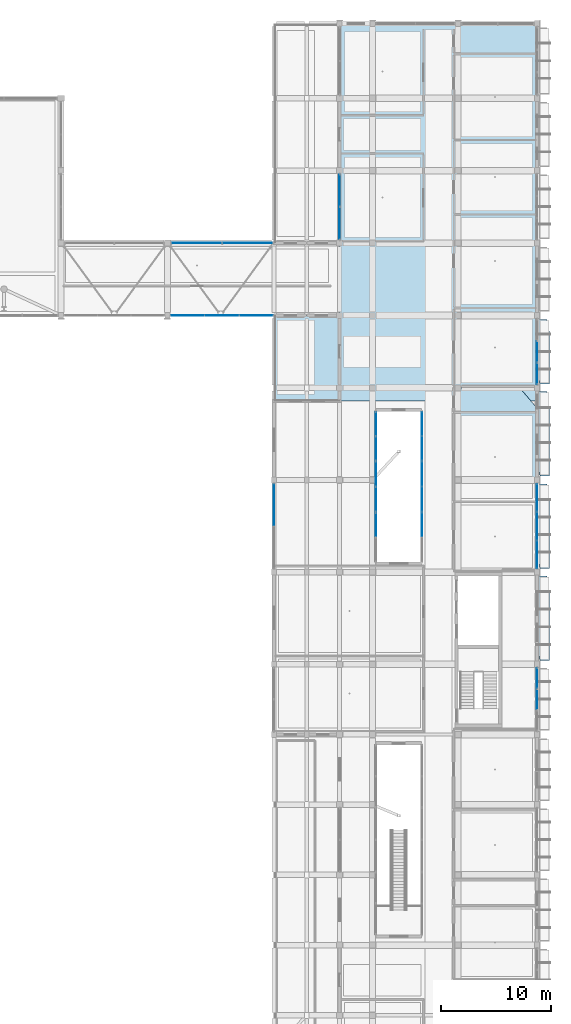
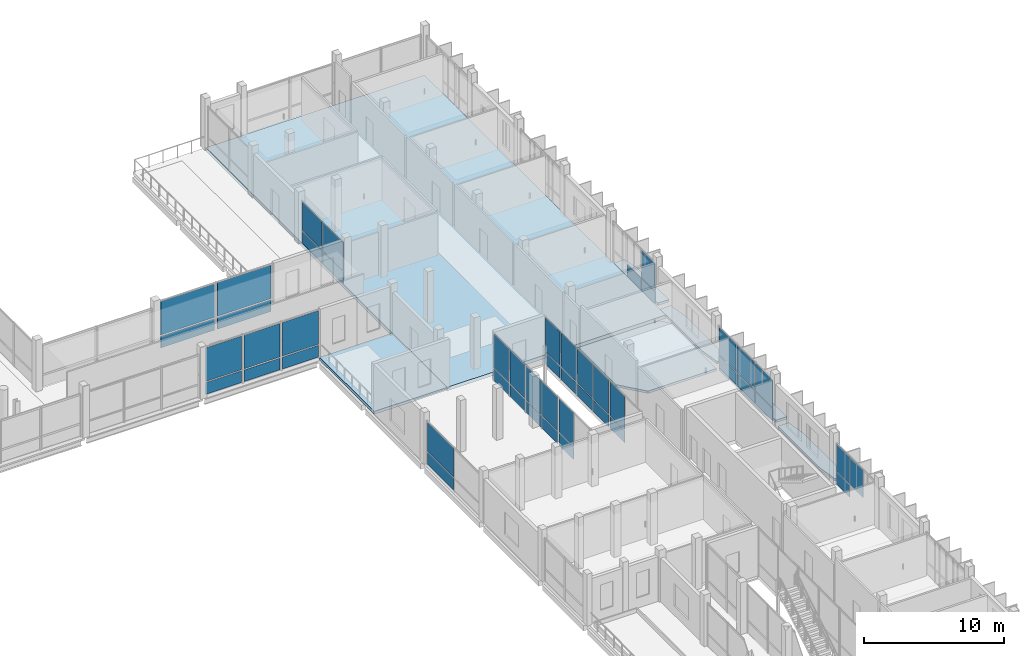
# One storey, part 50 of 95: 48 plates, 7 slabs, 13 elements without a shape of their own.
"""IFC4 building model written with IfcOpenShell, lengths in metres."""

from ifc_helpers import new_model, si_unit, derived_unit, direction, frame, origin, origin_2d, place, context, subcontext, project, spatial, polyline, rectangle, outline, extrude, material, layer, layer_set, type_object, element, aggregate, save


model = new_model("IFC4")

# Units and contexts
model_context = context("Model", 3, precision=1e-05, world=origin(), true_north=direction((0.0, 1.0)))
body_context = subcontext(model_context, "Body", "Model", "MODEL_VIEW")
ifc_project = project(units=[si_unit("LENGTHUNIT", "METRE"), si_unit("AREAUNIT", "SQUARE_METRE"), si_unit("VOLUMEUNIT", "CUBIC_METRE"), si_unit("PLANEANGLEUNIT", "RADIAN"), si_unit("MASSUNIT", "GRAM", prefix="KILO"), derived_unit("THERMALTRANSMITTANCEUNIT", [(si_unit("POWERUNIT", "WATT"), 1), (si_unit("LENGTHUNIT", "METRE"), -2), (si_unit("THERMODYNAMICTEMPERATUREUNIT", "KELVIN"), -1)])], contexts=[model_context])

# Site, building, storey
site_placement = place(None, origin())
site = spatial("IfcSite", under=ifc_project, at=site_placement, CompositionType="ELEMENT")
building_placement = place(site_placement, origin())
building = spatial("IfcBuilding", under=site, at=building_placement, Name="Braskholm Square Health Centre", CompositionType="ELEMENT")
storey_placement = place(building_placement, frame((0.0, 0.0, 4.800048828125)))
storey = spatial("IfcBuildingStorey", under=building, at=storey_placement, Name="L02", CompositionType="ELEMENT", Elevation=4.800048828125)

# Curtain wall, plate
ifc_material_1 = material(Name="Low-E triple insulating glass (VLT 0.64)", Category="glass")
curtain_wall_type_1 = type_object("IfcCurtainWallType", Name="UnitisedCurtainWall6200x3650", PredefinedType="NOTDEFINED", material=ifc_material_1)
curtain_wall_1_placement = place(storey_placement, origin())
curtain_wall_1 = element("IfcCurtainWall", 1, at=curtain_wall_1_placement, inside=storey, type_object=curtain_wall_type_1, Name="East Outer unitised curtain wall CW-L02-0055", PredefinedType="NOTDEFINED")
ifc_material_2 = material(Name="Architectural bronze anodised aluminium", Category="aluminium")
plate_type_1 = type_object("IfcPlateType", Name="CurtainPanelSpandrel1850x1020", PredefinedType="CURTAIN_PANEL", material=ifc_material_2)
plate_1_placement = place(storey_placement, frame((163.800048828125, 54.139892578125, 0.050048828125), z_axis=(0.0, 0.0, 1.0), x_axis=(0.0, 1.0, 0.0)))
plate_1 = element("IfcPlate", 2, at=plate_1_placement, type_object=plate_type_1, Name="CW-L02-0055 spandrel panel 3", PredefinedType="CURTAIN_PANEL", context=body_context, shape_type="SweptSolid", body=[
    extrude(rectangle(XDim=1.823486328125, YDim=0.035888671875, at=origin_2d()), origin(), (0.0, 0.0, 1.0), 1.02001953125),
])

# Curtain wall, plates
curtain_wall_2_placement = place(storey_placement, origin())
curtain_wall_2 = element("IfcCurtainWall", 3, at=curtain_wall_2_placement, inside=storey, type_object=curtain_wall_type_1, Name="East Outer unitised curtain wall CW-L02-0057", PredefinedType="NOTDEFINED")
plate_2_placement = place(storey_placement, frame((163.800048828125, 81.893310546875, 0.050048828125), z_axis=(0.0, 0.0, 1.0), x_axis=(0.0, 1.0, 0.0)))
plate_2 = element("IfcPlate", 4, at=plate_2_placement, type_object=plate_type_1, Name="CW-L02-0057 spandrel panel 1", PredefinedType="CURTAIN_PANEL", context=body_context, shape_type="SweptSolid", body=[
    extrude(rectangle(XDim=1.88623046875, YDim=0.035888671875, at=origin_2d()), origin(), (0.0, 0.0, 1.0), 1.02001953125),
])
plate_3_placement = place(storey_placement, frame((163.800048828125, 83.89990234375, 0.050048828125), z_axis=(0.0, 0.0, 1.0), x_axis=(0.0, 1.0, 0.0)))
plate_3 = element("IfcPlate", 5, at=plate_3_placement, type_object=plate_type_1, Name="CW-L02-0057 spandrel panel 2", PredefinedType="CURTAIN_PANEL", context=body_context, shape_type="SweptSolid", body=[
    extrude(rectangle(XDim=1.88623046875, YDim=0.035888671875, at=origin_2d()), origin(), (0.0, 0.0, 1.0), 1.02001953125),
])

# Curtain wall, plate
curtain_wall_type_2 = type_object("IfcCurtainWallType", Name="UnitisedCurtainWall4800x4100", PredefinedType="NOTDEFINED", material=ifc_material_1)
curtain_wall_3_placement = place(storey_placement, origin())
curtain_wall_3 = element("IfcCurtainWall", 6, at=curtain_wall_3_placement, inside=storey, type_object=curtain_wall_type_2, Name="EC2 Court W unitised curtain wall CW-L02-0357", PredefinedType="NOTDEFINED")
plate_type_2 = type_object("IfcPlateType", Name="CurtainPanelSpandrel2150x1020", PredefinedType="CURTAIN_PANEL", material=ifc_material_2)
plate_4_placement = place(storey_placement, frame((149.10009765625, 68.117919921875, 0.050048828125), z_axis=(0.0, 0.0, 1.0), x_axis=(0.0, 1.0, 0.0)))
plate_4 = element("IfcPlate", 7, at=plate_4_placement, type_object=plate_type_2, Name="CW-L02-0357 spandrel panel 2", PredefinedType="CURTAIN_PANEL", context=body_context, shape_type="SweptSolid", body=[
    extrude(rectangle(XDim=2.125244140625, YDim=0.035888671875, at=origin_2d()), origin(), (0.0, 0.0, 1.0), 1.02001953125),
])

curtain_wall_4_placement = place(storey_placement, origin())
curtain_wall_4 = element("IfcCurtainWall", 8, at=curtain_wall_4_placement, inside=storey, type_object=curtain_wall_type_2, Name="EC2 Court E unitised curtain wall CW-L02-0358", PredefinedType="NOTDEFINED")
plate_5_placement = place(storey_placement, frame((153.300048828125, 68.117919921875, 0.050048828125), z_axis=(0.0, 0.0, 1.0), x_axis=(0.0, -1.0, 0.0)))
plate_5 = element("IfcPlate", 9, at=plate_5_placement, type_object=plate_type_2, Name="CW-L02-0358 spandrel panel 1", PredefinedType="CURTAIN_PANEL", context=body_context, shape_type="SweptSolid", body=[
    extrude(rectangle(XDim=2.125244140625, YDim=0.035888671875, at=origin_2d()), origin(), (0.0, 0.0, 1.0), 1.02001953125),
])

# Curtain wall, plates
curtain_wall_5_placement = place(storey_placement, origin())
curtain_wall_5 = element("IfcCurtainWall", 10, at=curtain_wall_5_placement, inside=storey, type_object=curtain_wall_type_2, Name="EC2 Court W unitised curtain wall CW-L02-0359", PredefinedType="NOTDEFINED")
plate_6_placement = place(storey_placement, frame((149.10009765625, 70.449951171875, 0.050048828125), z_axis=(0.0, 0.0, 1.0), x_axis=(0.0, 1.0, 0.0)))
plate_6 = element("IfcPlate", 11, at=plate_6_placement, type_object=plate_type_2, Name="CW-L02-0359 spandrel panel 1", PredefinedType="CURTAIN_PANEL", context=body_context, shape_type="SweptSolid", body=[
    extrude(rectangle(XDim=2.188232421875, YDim=0.035888671875, at=origin_2d()), origin(), (0.0, 0.0, 1.0), 1.02001953125),
])
plate_7_placement = place(storey_placement, frame((149.10009765625, 72.75, 0.050048828125), z_axis=(0.0, 0.0, 1.0), x_axis=(0.0, 1.0, 0.0)))
plate_7 = element("IfcPlate", 12, at=plate_7_placement, type_object=plate_type_2, Name="CW-L02-0359 spandrel panel 2", PredefinedType="CURTAIN_PANEL", context=body_context, shape_type="SweptSolid", body=[
    extrude(rectangle(XDim=2.188232421875, YDim=0.035888671875, at=origin_2d()), origin(), (0.0, 0.0, 1.0), 1.02001953125),
])

curtain_wall_6_placement = place(storey_placement, origin())
curtain_wall_6 = element("IfcCurtainWall", 13, at=curtain_wall_6_placement, inside=storey, type_object=curtain_wall_type_2, Name="EC2 Court E unitised curtain wall CW-L02-0360", PredefinedType="NOTDEFINED")
plate_8_placement = place(storey_placement, frame((153.300048828125, 72.75, 0.050048828125), z_axis=(0.0, 0.0, 1.0), x_axis=(0.0, -1.0, 0.0)))
plate_8 = element("IfcPlate", 14, at=plate_8_placement, type_object=plate_type_2, Name="CW-L02-0360 spandrel panel 1", PredefinedType="CURTAIN_PANEL", context=body_context, shape_type="SweptSolid", body=[
    extrude(rectangle(XDim=2.188232421875, YDim=0.035888671875, at=origin_2d()), origin(), (0.0, 0.0, 1.0), 1.02001953125),
])
plate_9_placement = place(storey_placement, frame((153.300048828125, 70.449951171875, 0.050048828125), z_axis=(0.0, 0.0, 1.0), x_axis=(0.0, -1.0, 0.0)))
plate_9 = element("IfcPlate", 15, at=plate_9_placement, type_object=plate_type_2, Name="CW-L02-0360 spandrel panel 2", PredefinedType="CURTAIN_PANEL", context=body_context, shape_type="SweptSolid", body=[
    extrude(rectangle(XDim=2.188232421875, YDim=0.035888671875, at=origin_2d()), origin(), (0.0, 0.0, 1.0), 1.02001953125),
])

curtain_wall_7_placement = place(storey_placement, origin())
curtain_wall_7 = element("IfcCurtainWall", 16, at=curtain_wall_7_placement, inside=storey, type_object=curtain_wall_type_2, Name="EC2 Court W unitised curtain wall CW-L02-0361", PredefinedType="NOTDEFINED")
plate_10_placement = place(storey_placement, frame((149.10009765625, 75.08203125, 0.050048828125), z_axis=(0.0, 0.0, 1.0), x_axis=(0.0, 1.0, 0.0)))
plate_10 = element("IfcPlate", 17, at=plate_10_placement, type_object=plate_type_2, Name="CW-L02-0361 spandrel panel 1", PredefinedType="CURTAIN_PANEL", context=body_context, shape_type="SweptSolid", body=[
    extrude(rectangle(XDim=2.125244140625, YDim=0.035888671875, at=origin_2d()), origin(), (0.0, 0.0, 1.0), 1.02001953125),
])
plate_11_placement = place(storey_placement, frame((149.10009765625, 77.31591796875, 0.050048828125), z_axis=(0.0, 0.0, 1.0), x_axis=(0.0, 1.0, 0.0)))
plate_11 = element("IfcPlate", 18, at=plate_11_placement, type_object=plate_type_2, Name="CW-L02-0361 spandrel panel 2", PredefinedType="CURTAIN_PANEL", context=body_context, shape_type="SweptSolid", body=[
    extrude(rectangle(XDim=2.125244140625, YDim=0.035888671875, at=origin_2d()), origin(), (0.0, 0.0, 1.0), 1.02001953125),
])

curtain_wall_8_placement = place(storey_placement, origin())
curtain_wall_8 = element("IfcCurtainWall", 19, at=curtain_wall_8_placement, inside=storey, type_object=curtain_wall_type_2, Name="EC2 Court E unitised curtain wall CW-L02-0362", PredefinedType="NOTDEFINED")
plate_12_placement = place(storey_placement, frame((153.300048828125, 77.31591796875, 0.050048828125), z_axis=(0.0, 0.0, 1.0), x_axis=(0.0, -1.0, 0.0)))
plate_12 = element("IfcPlate", 20, at=plate_12_placement, type_object=plate_type_2, Name="CW-L02-0362 spandrel panel 1", PredefinedType="CURTAIN_PANEL", context=body_context, shape_type="SweptSolid", body=[
    extrude(rectangle(XDim=2.125244140625, YDim=0.035888671875, at=origin_2d()), origin(), (0.0, 0.0, 1.0), 1.02001953125),
])
plate_13_placement = place(storey_placement, frame((153.300048828125, 75.08203125, 0.050048828125), z_axis=(0.0, 0.0, 1.0), x_axis=(0.0, -1.0, 0.0)))
plate_13 = element("IfcPlate", 21, at=plate_13_placement, type_object=plate_type_2, Name="CW-L02-0362 spandrel panel 2", PredefinedType="CURTAIN_PANEL", context=body_context, shape_type="SweptSolid", body=[
    extrude(rectangle(XDim=2.125244140625, YDim=0.035888671875, at=origin_2d()), origin(), (0.0, 0.0, 1.0), 1.02001953125),
])

curtain_wall_9_placement = place(storey_placement, origin())
curtain_wall_9 = element("IfcCurtainWall", 22, at=curtain_wall_9_placement, inside=storey, type_object=curtain_wall_type_1, Name="East Outer unitised curtain wall CW-L02-0056", PredefinedType="NOTDEFINED")
plate_type_3 = type_object("IfcPlateType", Name="CurtainPanelSpandrel2750x1020", PredefinedType="CURTAIN_PANEL", material=ifc_material_2)
plate_14_placement = place(storey_placement, frame((163.800048828125, 65.393310546875, 0.050048828125), z_axis=(0.0, 0.0, 1.0), x_axis=(0.0, 1.0, 0.0)))
plate_14 = element("IfcPlate", 23, at=plate_14_placement, type_object=plate_type_3, Name="CW-L02-0056 spandrel panel 1", PredefinedType="CURTAIN_PANEL", context=body_context, shape_type="SweptSolid", body=[
    extrude(rectangle(XDim=2.4501953125, YDim=0.035888671875, at=origin_2d()), origin(), (0.0, 0.0, 1.0), 1.02001953125),
])
plate_15_placement = place(storey_placement, frame((163.800048828125, 68.0, 0.050048828125), z_axis=(0.0, 0.0, 1.0), x_axis=(0.0, 1.0, 0.0)))
plate_15 = element("IfcPlate", 24, at=plate_15_placement, type_object=plate_type_3, Name="CW-L02-0056 spandrel panel 2", PredefinedType="CURTAIN_PANEL", context=body_context, shape_type="SweptSolid", body=[
    extrude(rectangle(XDim=2.4501953125, YDim=0.035888671875, at=origin_2d()), origin(), (0.0, 0.0, 1.0), 1.02001953125),
])
plate_16_placement = place(storey_placement, frame((163.800048828125, 70.606689453125, 0.050048828125), z_axis=(0.0, 0.0, 1.0), x_axis=(0.0, 1.0, 0.0)))
plate_16 = element("IfcPlate", 25, at=plate_16_placement, type_object=plate_type_3, Name="CW-L02-0056 spandrel panel 3", PredefinedType="CURTAIN_PANEL", context=body_context, shape_type="SweptSolid", body=[
    extrude(rectangle(XDim=2.4501953125, YDim=0.035888671875, at=origin_2d()), origin(), (0.0, 0.0, 1.0), 1.02001953125),
])

curtain_wall_type_3 = type_object("IfcCurtainWallType", Name="UnitisedCurtainWall6200x3800", PredefinedType="NOTDEFINED", material=ifc_material_1)
curtain_wall_10_placement = place(storey_placement, origin())
curtain_wall_10 = element("IfcCurtainWall", 26, at=curtain_wall_10_placement, inside=storey, type_object=curtain_wall_type_3, Name="East Valley unitised curtain wall CW-L02-0121", PredefinedType="NOTDEFINED")
plate_17_placement = place(storey_placement, frame((145.800048828125, 98.58935546875, 0.050048828125), z_axis=(0.0, 0.0, 1.0), x_axis=(0.0, -1.0, 0.0)))
plate_17 = element("IfcPlate", 27, at=plate_17_placement, type_object=plate_type_3, Name="CW-L02-0121 spandrel panel 1", PredefinedType="CURTAIN_PANEL", context=body_context, shape_type="SweptSolid", body=[
    extrude(rectangle(XDim=2.833984375, YDim=0.035888671875, at=origin_2d()), origin(), (0.0, 0.0, 1.0), 1.02001953125),
])
plate_18_placement = place(storey_placement, frame((145.800048828125, 95.610595703125, 0.050048828125), z_axis=(0.0, 0.0, 1.0), x_axis=(0.0, -1.0, 0.0)))
plate_18 = element("IfcPlate", 28, at=plate_18_placement, type_object=plate_type_3, Name="CW-L02-0121 spandrel panel 2", PredefinedType="CURTAIN_PANEL", context=body_context, shape_type="SweptSolid", body=[
    extrude(rectangle(XDim=2.833984375, YDim=0.035888671875, at=origin_2d()), origin(), (0.0, 0.0, 1.0), 1.02001953125),
])

# Curtain wall, plate
curtain_wall_11_placement = place(storey_placement, origin())
curtain_wall_11 = element("IfcCurtainWall", 29, at=curtain_wall_11_placement, inside=storey, type_object=curtain_wall_type_3, Name="East Valley unitised curtain wall CW-L02-0120", PredefinedType="NOTDEFINED")
plate_type_4 = type_object("IfcPlateType", Name="CurtainPanelSpandrel3150x1020", PredefinedType="CURTAIN_PANEL", material=ifc_material_2)
plate_19_placement = place(storey_placement, frame((139.800048828125, 69.9365234375, 0.050048828125), z_axis=(0.0, 0.0, 1.0), x_axis=(0.0, -1.0, 0.0)))
plate_19 = element("IfcPlate", 30, at=plate_19_placement, type_object=plate_type_4, Name="CW-L02-0120 spandrel panel 1", PredefinedType="CURTAIN_PANEL", context=body_context, shape_type="SweptSolid", body=[
    extrude(rectangle(XDim=3.684814453125, YDim=0.035888671875, at=origin_2d()), origin(), (0.0, 0.0, 1.0), 1.02001953125),
])

# Curtain wall, plates
curtain_wall_type_4 = type_object("IfcCurtainWallType", Name="UnitisedCurtainWall6200x4100", PredefinedType="NOTDEFINED", material=ifc_material_1)
curtain_wall_12_placement = place(storey_placement, origin())
curtain_wall_12 = element("IfcCurtainWall", 31, at=curtain_wall_12_placement, inside=storey, type_object=curtain_wall_type_4, Name="Hall Gallery L02 unitised curtain wall CW-L02-0208", PredefinedType="NOTDEFINED")
plate_20_placement = place(storey_placement, frame((131.9091796875, 87.199951171875, 0.050048828125), z_axis=(0.0, 0.0, 1.0), x_axis=(1.0, 0.0, 0.0)))
plate_20 = element("IfcPlate", 32, at=plate_20_placement, type_object=plate_type_4, Name="CW-L02-0208 spandrel panel 1", PredefinedType="CURTAIN_PANEL", context=body_context, shape_type="SweptSolid", body=[
    extrude(rectangle(XDim=2.965087890625, YDim=0.035888671875, at=origin_2d()), origin(), (0.0, 0.0, 1.0), 1.02001953125),
])
plate_21_placement = place(storey_placement, frame((135.0634765625, 87.199951171875, 0.050048828125), z_axis=(0.0, 0.0, 1.0), x_axis=(1.0, 0.0, 0.0)))
plate_21 = element("IfcPlate", 33, at=plate_21_placement, type_object=plate_type_4, Name="CW-L02-0208 spandrel panel 2", PredefinedType="CURTAIN_PANEL", context=body_context, shape_type="SweptSolid", body=[
    extrude(rectangle(XDim=2.965087890625, YDim=0.035888671875, at=origin_2d()), origin(), (0.0, 0.0, 1.0), 1.02001953125),
])
plate_22_placement = place(storey_placement, frame((138.2177734375, 87.199951171875, 0.050048828125), z_axis=(0.0, 0.0, 1.0), x_axis=(1.0, 0.0, 0.0)))
plate_22 = element("IfcPlate", 34, at=plate_22_placement, type_object=plate_type_4, Name="CW-L02-0208 spandrel panel 3", PredefinedType="CURTAIN_PANEL", context=body_context, shape_type="SweptSolid", body=[
    extrude(rectangle(XDim=2.965087890625, YDim=0.035888671875, at=origin_2d()), origin(), (0.0, 0.0, 1.0), 1.02001953125),
])

curtain_wall_13_placement = place(storey_placement, origin())
curtain_wall_13 = element("IfcCurtainWall", 35, at=curtain_wall_13_placement, inside=storey, type_object=curtain_wall_type_4, Name="Portal North L02 unitised curtain wall CW-L02-0211", PredefinedType="NOTDEFINED")
plate_type_5 = type_object("IfcPlateType", Name="CurtainPanelSpandrel4350x1020", PredefinedType="CURTAIN_PANEL", material=ifc_material_2)
plate_23_placement = place(storey_placement, frame((137.412109375, 93.800048828125, 0.050048828125), z_axis=(0.0, 0.0, 1.0), x_axis=(-1.0, 0.0, 0.0)))
plate_23 = element("IfcPlate", 36, at=plate_23_placement, type_object=plate_type_5, Name="CW-L02-0211 spandrel panel 1", PredefinedType="CURTAIN_PANEL", context=body_context, shape_type="SweptSolid", body=[
    extrude(rectangle(XDim=4.426513671875, YDim=0.035888671875, at=origin_2d()), origin(), (0.0, 0.0, 1.0), 1.02001953125),
])
plate_24_placement = place(storey_placement, frame((132.759765625, 93.800048828125, 0.050048828125), z_axis=(0.0, 0.0, 1.0), x_axis=(-1.0, 0.0, 0.0)))
plate_24 = element("IfcPlate", 37, at=plate_24_placement, type_object=plate_type_5, Name="CW-L02-0211 spandrel panel 2", PredefinedType="CURTAIN_PANEL", context=body_context, shape_type="SweptSolid", body=[
    extrude(rectangle(XDim=4.426513671875, YDim=0.035888671875, at=origin_2d()), origin(), (0.0, 0.0, 1.0), 1.02001953125),
])

# Plate
plate_type_6 = type_object("IfcPlateType", Name="CurtainPanelVision1850x2520", PredefinedType="CURTAIN_PANEL", material=ifc_material_1)
plate_25_placement = place(storey_placement, frame((163.800048828125, 52.199951171875, 1.169921875), z_axis=(0.0, 0.0, 1.0), x_axis=(0.0, 1.0, 0.0)))
plate_25 = element("IfcPlate", 38, at=plate_25_placement, type_object=plate_type_6, Name="CW-L02-0055 vision glass panel 2", PredefinedType="CURTAIN_PANEL", context=body_context, shape_type="SweptSolid", body=[
    extrude(rectangle(XDim=1.823486328125, YDim=0.035888671875, at=origin_2d()), origin(), (0.0, 0.0, 1.0), 2.3701171875),
])

plate_26_placement = place(storey_placement, frame((163.800048828125, 54.139892578125, 1.169921875), z_axis=(0.0, 0.0, 1.0), x_axis=(0.0, 1.0, 0.0)))
plate_26 = element("IfcPlate", 39, at=plate_26_placement, type_object=plate_type_6, Name="CW-L02-0055 vision glass panel 3", PredefinedType="CURTAIN_PANEL", context=body_context, shape_type="SweptSolid", body=[
    extrude(rectangle(XDim=1.823486328125, YDim=0.035888671875, at=origin_2d()), origin(), (0.0, 0.0, 1.0), 2.3701171875),
])

aggregate(curtain_wall_1, [plate_25, plate_1, plate_26])

plate_27_placement = place(storey_placement, frame((163.800048828125, 81.893310546875, 1.169921875), z_axis=(0.0, 0.0, 1.0), x_axis=(0.0, 1.0, 0.0)))
plate_27 = element("IfcPlate", 40, at=plate_27_placement, type_object=plate_type_6, Name="CW-L02-0057 vision glass panel 1", PredefinedType="CURTAIN_PANEL", context=body_context, shape_type="SweptSolid", body=[
    extrude(rectangle(XDim=1.88623046875, YDim=0.035888671875, at=origin_2d()), origin(), (0.0, 0.0, 1.0), 2.3701171875),
])

aggregate(curtain_wall_2, [plate_2, plate_27, plate_3])

plate_type_7 = type_object("IfcPlateType", Name="CurtainPanelVision2150x2950", PredefinedType="CURTAIN_PANEL", material=ifc_material_1)
plate_28_placement = place(storey_placement, frame((149.10009765625, 68.117919921875, 1.169921875), z_axis=(0.0, 0.0, 1.0), x_axis=(0.0, 1.0, 0.0)))
plate_28 = element("IfcPlate", 41, at=plate_28_placement, type_object=plate_type_7, Name="CW-L02-0357 vision glass panel 2", PredefinedType="CURTAIN_PANEL", context=body_context, shape_type="SweptSolid", body=[
    extrude(rectangle(XDim=2.125244140625, YDim=0.035888671875, at=origin_2d()), origin(), (0.0, 0.0, 1.0), 2.919921875),
])

aggregate(curtain_wall_3, [plate_4, plate_28])

plate_29_placement = place(storey_placement, frame((153.300048828125, 68.117919921875, 1.169921875), z_axis=(0.0, 0.0, 1.0), x_axis=(0.0, -1.0, 0.0)))
plate_29 = element("IfcPlate", 42, at=plate_29_placement, type_object=plate_type_7, Name="CW-L02-0358 vision glass panel 1", PredefinedType="CURTAIN_PANEL", context=body_context, shape_type="SweptSolid", body=[
    extrude(rectangle(XDim=2.125244140625, YDim=0.035888671875, at=origin_2d()), origin(), (0.0, 0.0, 1.0), 2.919921875),
])

aggregate(curtain_wall_4, [plate_5, plate_29])

plate_30_placement = place(storey_placement, frame((149.10009765625, 70.449951171875, 1.169921875), z_axis=(0.0, 0.0, 1.0), x_axis=(0.0, 1.0, 0.0)))
plate_30 = element("IfcPlate", 43, at=plate_30_placement, type_object=plate_type_7, Name="CW-L02-0359 vision glass panel 1", PredefinedType="CURTAIN_PANEL", context=body_context, shape_type="SweptSolid", body=[
    extrude(rectangle(XDim=2.188232421875, YDim=0.035888671875, at=origin_2d()), origin(), (0.0, 0.0, 1.0), 2.919921875),
])

plate_31_placement = place(storey_placement, frame((149.10009765625, 72.75, 1.169921875), z_axis=(0.0, 0.0, 1.0), x_axis=(0.0, 1.0, 0.0)))
plate_31 = element("IfcPlate", 44, at=plate_31_placement, type_object=plate_type_7, Name="CW-L02-0359 vision glass panel 2", PredefinedType="CURTAIN_PANEL", context=body_context, shape_type="SweptSolid", body=[
    extrude(rectangle(XDim=2.188232421875, YDim=0.035888671875, at=origin_2d()), origin(), (0.0, 0.0, 1.0), 2.919921875),
])

aggregate(curtain_wall_5, [plate_6, plate_30, plate_7, plate_31])

plate_32_placement = place(storey_placement, frame((153.300048828125, 72.75, 1.169921875), z_axis=(0.0, 0.0, 1.0), x_axis=(0.0, -1.0, 0.0)))
plate_32 = element("IfcPlate", 45, at=plate_32_placement, type_object=plate_type_7, Name="CW-L02-0360 vision glass panel 1", PredefinedType="CURTAIN_PANEL", context=body_context, shape_type="SweptSolid", body=[
    extrude(rectangle(XDim=2.188232421875, YDim=0.035888671875, at=origin_2d()), origin(), (0.0, 0.0, 1.0), 2.919921875),
])

plate_33_placement = place(storey_placement, frame((153.300048828125, 70.449951171875, 1.169921875), z_axis=(0.0, 0.0, 1.0), x_axis=(0.0, -1.0, 0.0)))
plate_33 = element("IfcPlate", 46, at=plate_33_placement, type_object=plate_type_7, Name="CW-L02-0360 vision glass panel 2", PredefinedType="CURTAIN_PANEL", context=body_context, shape_type="SweptSolid", body=[
    extrude(rectangle(XDim=2.188232421875, YDim=0.035888671875, at=origin_2d()), origin(), (0.0, 0.0, 1.0), 2.919921875),
])

aggregate(curtain_wall_6, [plate_8, plate_32, plate_9, plate_33])

plate_34_placement = place(storey_placement, frame((149.10009765625, 75.08203125, 1.169921875), z_axis=(0.0, 0.0, 1.0), x_axis=(0.0, 1.0, 0.0)))
plate_34 = element("IfcPlate", 47, at=plate_34_placement, type_object=plate_type_7, Name="CW-L02-0361 vision glass panel 1", PredefinedType="CURTAIN_PANEL", context=body_context, shape_type="SweptSolid", body=[
    extrude(rectangle(XDim=2.125244140625, YDim=0.035888671875, at=origin_2d()), origin(), (0.0, 0.0, 1.0), 2.919921875),
])

plate_35_placement = place(storey_placement, frame((149.10009765625, 77.31591796875, 1.169921875), z_axis=(0.0, 0.0, 1.0), x_axis=(0.0, 1.0, 0.0)))
plate_35 = element("IfcPlate", 48, at=plate_35_placement, type_object=plate_type_7, Name="CW-L02-0361 vision glass panel 2", PredefinedType="CURTAIN_PANEL", context=body_context, shape_type="SweptSolid", body=[
    extrude(rectangle(XDim=2.125244140625, YDim=0.035888671875, at=origin_2d()), origin(), (0.0, 0.0, 1.0), 2.919921875),
])

aggregate(curtain_wall_7, [plate_10, plate_34, plate_11, plate_35])

plate_36_placement = place(storey_placement, frame((153.300048828125, 77.31591796875, 1.169921875), z_axis=(0.0, 0.0, 1.0), x_axis=(0.0, -1.0, 0.0)))
plate_36 = element("IfcPlate", 49, at=plate_36_placement, type_object=plate_type_7, Name="CW-L02-0362 vision glass panel 1", PredefinedType="CURTAIN_PANEL", context=body_context, shape_type="SweptSolid", body=[
    extrude(rectangle(XDim=2.125244140625, YDim=0.035888671875, at=origin_2d()), origin(), (0.0, 0.0, 1.0), 2.919921875),
])

plate_37_placement = place(storey_placement, frame((153.300048828125, 75.08203125, 1.169921875), z_axis=(0.0, 0.0, 1.0), x_axis=(0.0, -1.0, 0.0)))
plate_37 = element("IfcPlate", 50, at=plate_37_placement, type_object=plate_type_7, Name="CW-L02-0362 vision glass panel 2", PredefinedType="CURTAIN_PANEL", context=body_context, shape_type="SweptSolid", body=[
    extrude(rectangle(XDim=2.125244140625, YDim=0.035888671875, at=origin_2d()), origin(), (0.0, 0.0, 1.0), 2.919921875),
])

aggregate(curtain_wall_8, [plate_12, plate_36, plate_13, plate_37])

plate_type_8 = type_object("IfcPlateType", Name="CurtainPanelVision2750x2520", PredefinedType="CURTAIN_PANEL", material=ifc_material_1)
plate_38_placement = place(storey_placement, frame((163.800048828125, 65.393310546875, 1.169921875), z_axis=(0.0, 0.0, 1.0), x_axis=(0.0, 1.0, 0.0)))
plate_38 = element("IfcPlate", 51, at=plate_38_placement, type_object=plate_type_8, Name="CW-L02-0056 vision glass panel 1", PredefinedType="CURTAIN_PANEL", context=body_context, shape_type="SweptSolid", body=[
    extrude(rectangle(XDim=2.4501953125, YDim=0.035888671875, at=origin_2d()), origin(), (0.0, 0.0, 1.0), 2.3701171875),
])

plate_39_placement = place(storey_placement, frame((163.800048828125, 68.0, 1.169921875), z_axis=(0.0, 0.0, 1.0), x_axis=(0.0, 1.0, 0.0)))
plate_39 = element("IfcPlate", 52, at=plate_39_placement, type_object=plate_type_8, Name="CW-L02-0056 vision glass panel 2", PredefinedType="CURTAIN_PANEL", context=body_context, shape_type="SweptSolid", body=[
    extrude(rectangle(XDim=2.4501953125, YDim=0.035888671875, at=origin_2d()), origin(), (0.0, 0.0, 1.0), 2.3701171875),
])

plate_40_placement = place(storey_placement, frame((163.800048828125, 70.606689453125, 1.169921875), z_axis=(0.0, 0.0, 1.0), x_axis=(0.0, 1.0, 0.0)))
plate_40 = element("IfcPlate", 53, at=plate_40_placement, type_object=plate_type_8, Name="CW-L02-0056 vision glass panel 3", PredefinedType="CURTAIN_PANEL", context=body_context, shape_type="SweptSolid", body=[
    extrude(rectangle(XDim=2.4501953125, YDim=0.035888671875, at=origin_2d()), origin(), (0.0, 0.0, 1.0), 2.3701171875),
])

aggregate(curtain_wall_9, [plate_14, plate_38, plate_15, plate_39, plate_16, plate_40])

plate_41_placement = place(storey_placement, frame((145.800048828125, 98.58935546875, 1.169921875), z_axis=(0.0, 0.0, 1.0), x_axis=(0.0, -1.0, 0.0)))
plate_41 = element("IfcPlate", 54, at=plate_41_placement, type_object=plate_type_8, Name="CW-L02-0121 vision glass panel 1", PredefinedType="CURTAIN_PANEL", context=body_context, shape_type="SweptSolid", body=[
    extrude(rectangle(XDim=2.833984375, YDim=0.035888671875, at=origin_2d()), origin(), (0.0, 0.0, 1.0), 2.4599609375),
])

plate_42_placement = place(storey_placement, frame((145.800048828125, 95.610595703125, 1.169921875), z_axis=(0.0, 0.0, 1.0), x_axis=(0.0, -1.0, 0.0)))
plate_42 = element("IfcPlate", 55, at=plate_42_placement, type_object=plate_type_8, Name="CW-L02-0121 vision glass panel 2", PredefinedType="CURTAIN_PANEL", context=body_context, shape_type="SweptSolid", body=[
    extrude(rectangle(XDim=2.833984375, YDim=0.035888671875, at=origin_2d()), origin(), (0.0, 0.0, 1.0), 2.4599609375),
])

aggregate(curtain_wall_10, [plate_17, plate_41, plate_18, plate_42])

plate_type_9 = type_object("IfcPlateType", Name="CurtainPanelVision3150x2520", PredefinedType="CURTAIN_PANEL", material=ifc_material_1)
plate_43_placement = place(storey_placement, frame((139.800048828125, 69.9365234375, 1.169921875), z_axis=(0.0, 0.0, 1.0), x_axis=(0.0, -1.0, 0.0)))
plate_43 = element("IfcPlate", 56, at=plate_43_placement, type_object=plate_type_9, Name="CW-L02-0120 vision glass panel 1", PredefinedType="CURTAIN_PANEL", context=body_context, shape_type="SweptSolid", body=[
    extrude(rectangle(XDim=3.684814453125, YDim=0.035888671875, at=origin_2d()), origin(), (0.0, 0.0, 1.0), 2.510009765625),
])

aggregate(curtain_wall_11, [plate_19, plate_43])

plate_type_10 = type_object("IfcPlateType", Name="CurtainPanelVision3150x2950", PredefinedType="CURTAIN_PANEL", material=ifc_material_1)
plate_44_placement = place(storey_placement, frame((131.9091796875, 87.199951171875, 1.169921875), z_axis=(0.0, 0.0, 1.0), x_axis=(1.0, 0.0, 0.0)))
plate_44 = element("IfcPlate", 57, at=plate_44_placement, type_object=plate_type_10, Name="CW-L02-0208 vision glass panel 1", PredefinedType="CURTAIN_PANEL", context=body_context, shape_type="SweptSolid", body=[
    extrude(rectangle(XDim=2.965087890625, YDim=0.035888671875, at=origin_2d()), origin(), (0.0, 0.0, 1.0), 2.919921875),
])

plate_45_placement = place(storey_placement, frame((135.0634765625, 87.199951171875, 1.169921875), z_axis=(0.0, 0.0, 1.0), x_axis=(1.0, 0.0, 0.0)))
plate_45 = element("IfcPlate", 58, at=plate_45_placement, type_object=plate_type_10, Name="CW-L02-0208 vision glass panel 2", PredefinedType="CURTAIN_PANEL", context=body_context, shape_type="SweptSolid", body=[
    extrude(rectangle(XDim=2.965087890625, YDim=0.035888671875, at=origin_2d()), origin(), (0.0, 0.0, 1.0), 2.919921875),
])

plate_46_placement = place(storey_placement, frame((138.2177734375, 87.199951171875, 1.169921875), z_axis=(0.0, 0.0, 1.0), x_axis=(1.0, 0.0, 0.0)))
plate_46 = element("IfcPlate", 59, at=plate_46_placement, type_object=plate_type_10, Name="CW-L02-0208 vision glass panel 3", PredefinedType="CURTAIN_PANEL", context=body_context, shape_type="SweptSolid", body=[
    extrude(rectangle(XDim=2.965087890625, YDim=0.035888671875, at=origin_2d()), origin(), (0.0, 0.0, 1.0), 2.919921875),
])

aggregate(curtain_wall_12, [plate_20, plate_44, plate_21, plate_45, plate_22, plate_46])

plate_type_11 = type_object("IfcPlateType", Name="CurtainPanelVision4350x2950", PredefinedType="CURTAIN_PANEL", material=ifc_material_1)
plate_47_placement = place(storey_placement, frame((137.412109375, 93.800048828125, 1.169921875), z_axis=(0.0, 0.0, 1.0), x_axis=(-1.0, 0.0, 0.0)))
plate_47 = element("IfcPlate", 60, at=plate_47_placement, type_object=plate_type_11, Name="CW-L02-0211 vision glass panel 1", PredefinedType="CURTAIN_PANEL", context=body_context, shape_type="SweptSolid", body=[
    extrude(rectangle(XDim=4.426513671875, YDim=0.035888671875, at=origin_2d()), origin(), (0.0, 0.0, 1.0), 2.919921875),
])

plate_48_placement = place(storey_placement, frame((132.759765625, 93.800048828125, 1.169921875), z_axis=(0.0, 0.0, 1.0), x_axis=(-1.0, 0.0, 0.0)))
plate_48 = element("IfcPlate", 61, at=plate_48_placement, type_object=plate_type_11, Name="CW-L02-0211 vision glass panel 2", PredefinedType="CURTAIN_PANEL", context=body_context, shape_type="SweptSolid", body=[
    extrude(rectangle(XDim=4.426513671875, YDim=0.035888671875, at=origin_2d()), origin(), (0.0, 0.0, 1.0), 2.919921875),
])

aggregate(curtain_wall_13, [plate_23, plate_47, plate_24, plate_48])

# Slabs
ifc_material_3 = material(Name="Precast concrete C40/50 architectural white", Category="concrete")
ifc_layer_1 = layer(ifc_material_3, 0.2099609375)
ifc_layer_set_1 = layer_set([ifc_layer_1], Name="Precast concrete C40/50 architectural white")
slab_type_1 = type_object("IfcSlabType", Name="PitchedAndCrownRoofSlab150", PredefinedType="ROOF", material=ifc_layer_set_1)
slab_1_placement = place(storey_placement, frame((0.0, 0.0, -0.2099609375)))
element("IfcSlab", 62, at=slab_1_placement, inside=storey, type_object=slab_type_1, Name="Level L02 East precast planter ledge 073", PredefinedType="ROOF", context=body_context, shape_type="SweptSolid", body=[
    extrude(outline(polyline([(164.052978515625, 55.75), (164.949951171875, 55.75), (164.949951171875, 61.756103515625), (164.697021484375, 63.449951171875), (163.800048828125, 63.449951171875), (163.800048828125, 57.444091796875), (164.052978515625, 55.75)])), origin(), (0.0, 0.0, 1.0), 0.2099609375),
])
slab_2_placement = place(storey_placement, frame((0.0, 0.0, -0.2099609375)))
element("IfcSlab", 63, at=slab_2_placement, inside=storey, type_object=slab_type_1, Name="Level L02 East precast planter ledge 074", PredefinedType="ROOF", context=body_context, shape_type="SweptSolid", body=[
    extrude(outline(polyline([(164.052978515625, 64.14990234375), (164.949951171875, 64.14990234375), (164.949951171875, 70.156005859375), (164.697021484375, 71.85009765625), (163.800048828125, 71.85009765625), (163.800048828125, 65.843994140625), (164.052978515625, 64.14990234375)])), origin(), (0.0, 0.0, 1.0), 0.2099609375),
])
slab_3_placement = place(storey_placement, frame((0.0, 0.0, -0.2099609375)))
element("IfcSlab", 64, at=slab_3_placement, inside=storey, type_object=slab_type_1, Name="Level L02 East precast planter ledge 075", PredefinedType="ROOF", context=body_context, shape_type="SweptSolid", body=[
    extrude(outline(polyline([(164.052978515625, 72.550048828125), (164.949951171875, 72.550048828125), (164.949951171875, 78.555908203125), (164.697021484375, 80.25), (163.800048828125, 80.25), (163.800048828125, 74.243896484375), (164.052978515625, 72.550048828125)])), origin(), (0.0, 0.0, 1.0), 0.2099609375),
])
slab_4_placement = place(storey_placement, frame((0.0, 0.0, -0.2099609375)))
element("IfcSlab", 65, at=slab_4_placement, inside=storey, type_object=slab_type_1, Name="Level L02 East precast planter ledge 076", PredefinedType="ROOF", context=body_context, shape_type="SweptSolid", body=[
    extrude(outline(polyline([(164.052978515625, 80.949951171875), (164.949951171875, 80.949951171875), (164.949951171875, 85.552001953125), (164.697021484375, 86.85009765625), (163.800048828125, 86.85009765625), (163.800048828125, 82.248046875), (164.052978515625, 80.949951171875)])), origin(), (0.0, 0.0, 1.0), 0.2099609375),
])
ifc_material_4 = material(Name="Concrete C35/45 (f'c = 35 MPa)", Category="concrete")
ifc_layer_2 = layer(ifc_material_4, 0.25)
ifc_layer_set_2 = layer_set([ifc_layer_2], Name="Concrete C35/45 (f'c = 35 MPa)")
slab_type_2 = type_object("IfcSlabType", Name="PlantedTerraceRoofSlab250", PredefinedType="ROOF", material=ifc_layer_set_2)
slab_5_placement = place(storey_placement, frame((0.0, 0.0, -0.25)))
element("IfcSlab", 66, at=slab_5_placement, inside=storey, type_object=slab_type_2, Name="Level L02 Northeast colonnade planted terrace slab", PredefinedType="ROOF", context=body_context, shape_type="SweptSolid", body=[
    extrude(outline(polyline([(139.800048828125, 79.39990234375), (145.800048828125, 79.39990234375), (145.800048828125, 87.199951171875), (139.800048828125, 87.199951171875), (139.800048828125, 79.39990234375)])), origin(), (0.0, 0.0, 1.0), 0.25),
])
ifc_layer_3 = layer(ifc_material_4, 0.199951171875)
ifc_layer_set_3 = layer_set([ifc_layer_3], Name="Concrete C35/45 (f'c = 35 MPa)")
slab_type_3 = type_object("IfcSlabType", Name="PunchingDropPanel200", PredefinedType="USERDEFINED", material=ifc_layer_set_3)
slab_6_placement = place(storey_placement, frame((0.0, 0.0, -0.5)))
element("IfcSlab", 67, at=slab_6_placement, inside=storey, type_object=slab_type_3, Name="Thickened vibration drop panel 008 L02", ObjectType="DROPPANEL", PredefinedType="USERDEFINED", context=body_context, shape_type="SweptSolid", body=[
    extrude(outline(polyline([(158.18408203125, 72.199951171875), (163.800048828125, 72.199951171875), (163.800048828125, 78.751953125), (162.216064453125, 80.60009765625), (156.60009765625, 80.60009765625), (156.60009765625, 74.048095703125), (158.18408203125, 72.199951171875)])), origin(), (0.0, 0.0, 1.0), 0.199951171875),
])
ifc_layer_4 = layer(ifc_material_4, 0.300048828125)
ifc_layer_set_4 = layer_set([ifc_layer_4], Name="Concrete C35/45 (f'c = 35 MPa)")
slab_type_4 = type_object("IfcSlabType", Name="TwoWayClinicalFlatSlab300", PredefinedType="FLOOR", material=ifc_layer_set_4)
slab_7_placement = place(storey_placement, frame((0.0, 0.0, -0.300048828125)))
element("IfcSlab", 68, at=slab_7_placement, inside=storey, type_object=slab_type_4, Name="Level L02 V4E Northeast specialty clinic slab", PredefinedType="FLOOR", context=body_context, shape_type="SweptSolid", body=[
    extrude(outline(polyline([(145.800048828125, 79.39990234375), (163.800048828125, 79.39990234375), (163.800048828125, 113.800048828125), (145.800048828125, 113.800048828125), (145.800048828125, 79.39990234375)])), origin(), (0.0, 0.0, 1.0), 0.300048828125),
])

save(model, "model.ifc")
